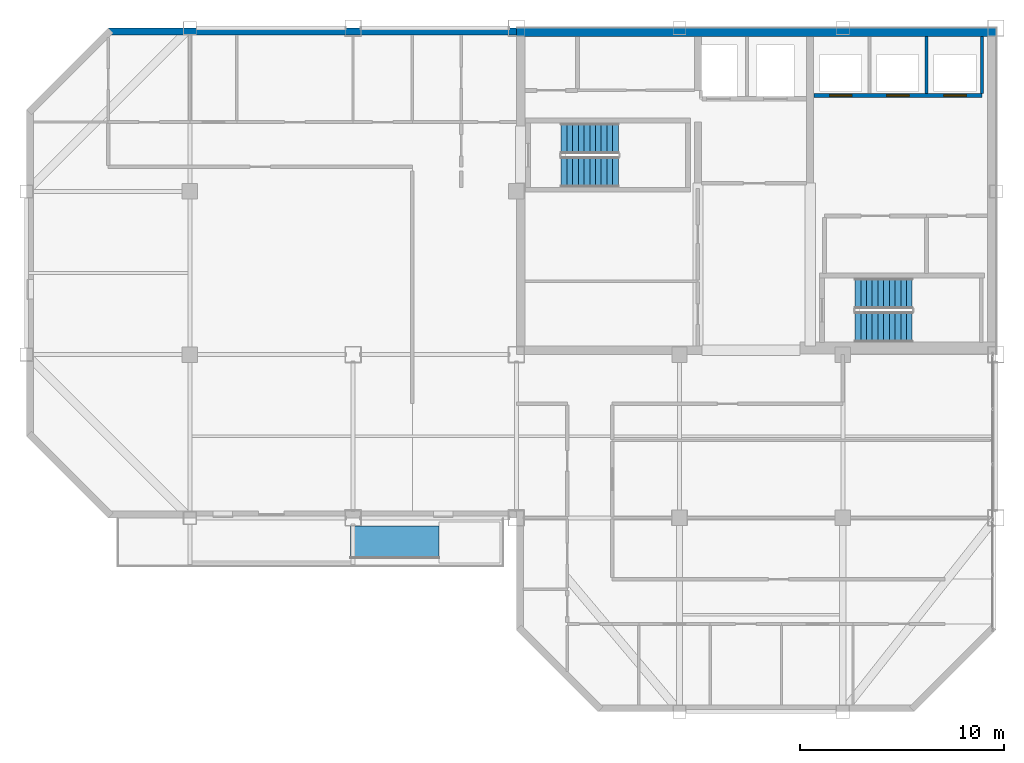
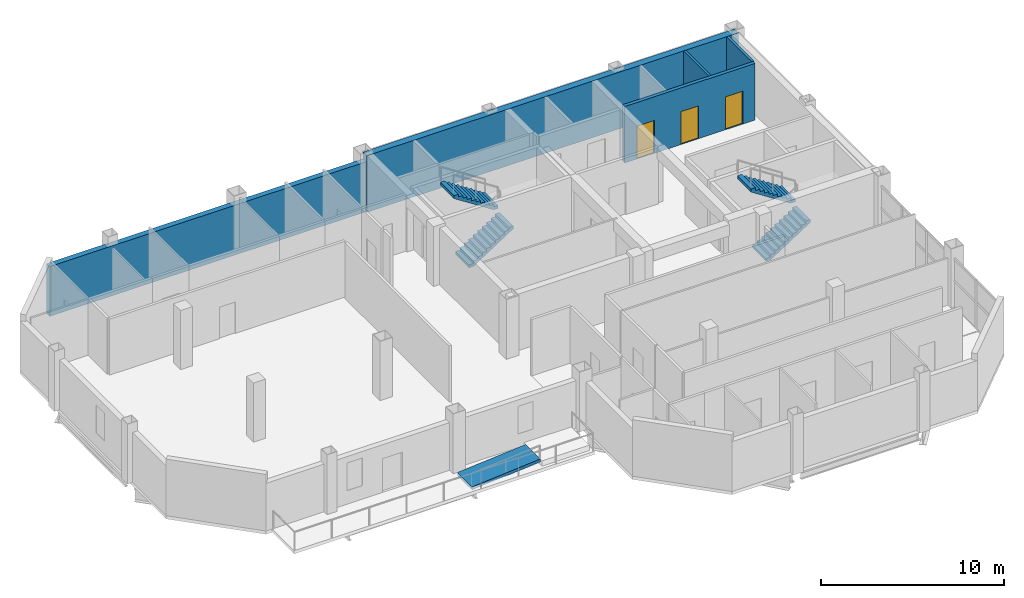
# One storey, part 10 of 13: 5 walls, 4 stair flights, 3 doors, 1 ramp flight, 3 openings, 3 elements without a shape of their own.
"""IFC4 building model written with IfcOpenShell, lengths in metres."""

from ifc_helpers import new_model, si_unit, direction, frame, frame_2d, origin, place, context, subcontext, project, spatial, polyline, rectangle, outline, extrude, material, layer, layer_set, type_object, element, fill, aggregate, save


model = new_model("IFC4")

# Units and contexts
model_context = context("Model", 3, precision=1e-05, world=origin(), true_north=direction((0.0, 1.0)))
body_context = subcontext(model_context, "Body", "Model", "MODEL_VIEW")
ifc_project = project(units=[si_unit("LENGTHUNIT", "METRE"), si_unit("AREAUNIT", "SQUARE_METRE"), si_unit("VOLUMEUNIT", "CUBIC_METRE"), si_unit("PLANEANGLEUNIT", "RADIAN"), si_unit("MASSUNIT", "GRAM", prefix="KILO")], contexts=[model_context])

# Site, building, storey
site_placement = place(None, origin())
site = spatial("IfcSite", under=ifc_project, at=site_placement, CompositionType="ELEMENT")
building_placement = place(site_placement, origin())
building = spatial("IfcBuilding", under=site, at=building_placement, Name="Qianrong Seaharbour Tower", CompositionType="ELEMENT")
storey_placement = place(building_placement, frame((0.0, 0.0, 295.199951171875)))
storey = spatial("IfcBuildingStorey", under=building, at=storey_placement, Name="L71", CompositionType="ELEMENT", Elevation=295.199951171875)

# Walls
ifc_material_1 = material(Name="Concrete C50/60", Category="concrete")
ifc_layer_1 = layer(ifc_material_1, 0.419921875)
ifc_layer_set_1 = layer_set([ifc_layer_1], Name="Concrete C50/60")
wall_type_1 = type_object("IfcWallType", Name="WALL-CORE-420", PredefinedType="SHEAR", material=ifc_layer_set_1)
wall_1_placement = place(storey_placement, frame((40.5, 51.7900390625, 0.0), z_axis=(0.0, 0.0, 1.0), x_axis=(1.0, 0.0, 0.0)))
element("IfcWall", 1, at=wall_1_placement, inside=storey, type_object=wall_type_1, Name="L71 North Core Shear Wall", PredefinedType="SHEAR", context=body_context, shape_type="SweptSolid", body=[
    extrude(rectangle(XDim=23.5, YDim=0.419921875, at=frame_2d((11.75, 0.0))), origin(), (0.0, 0.0, 1.0), 3.78515625),
])
ifc_material_2 = material(Name="Unitised buff brick on Precast concrete C45/55", Category="masonry")
ifc_layer_2 = layer(ifc_material_2, 0.340087890625)
ifc_layer_set_2 = layer_set([ifc_layer_2], Name="Unitised buff brick on Precast concrete C45/55")
wall_type_2 = type_object("IfcWallType", Name="WALL-EXT-BRICK-BUFF-340", PredefinedType="SOLIDWALL", material=ifc_layer_set_2)
wall_2_placement = place(storey_placement, frame((20.5, 51.830078125, 0.0), z_axis=(0.0, 0.0, 1.0), x_axis=(1.0, 0.0, 0.0)))
element("IfcWall", 2, at=wall_2_placement, inside=storey, type_object=wall_type_2, Name="L71 Exterior Masonry Facade Wall NORTH_WING", PredefinedType="SOLIDWALL", context=body_context, shape_type="SweptSolid", body=[
    extrude(rectangle(XDim=20.02001953125, YDim=0.340087890625, at=frame_2d((10.010009765625, 0.0))), origin(), (0.0, 0.0, 1.0), 3.3349609375),
])
ifc_material_3 = material(Name="Fire-rated gypsum board on steel studs", Category="steel")
ifc_layer_3 = layer(ifc_material_3, 0.14990234375)
ifc_layer_set_3 = layer_set([ifc_layer_3], Name="Fire-rated gypsum board on steel studs")
wall_type_3 = type_object("IfcWallType", Name="WALL-SHAFT-DIV-150", PredefinedType="PARTITIONING", material=ifc_layer_set_3)
for number, where, z_axis, x_axis, name in (
    (3, (60.60009765625, 48.81005859375, 0.0), (0.0, 0.0, 1.0), (0.0, 1.0, 0.0), "L71 P4 Lift Hoistway Divider 3"),
    (4, (63.320068359375, 48.81005859375, 0.0), (0.0, 0.0, 1.0), (0.0, 1.0, 0.0), "L71 P4 Lift Hoistway Divider 4"),
):
    element("IfcWall", number, at=place(storey_placement, frame(where, z_axis=z_axis, x_axis=x_axis)), inside=storey, type_object=wall_type_3, Name=name, PredefinedType="PARTITIONING", context=body_context, shape_type="SweptSolid", body=[
        extrude(rectangle(XDim=2.77001953125, YDim=0.14990234375, at=frame_2d((1.385009765625, 0.0))), origin(), (0.0, 0.0, 1.0), 3.78515625),
    ])

# Wall, openings, doors
ifc_layer_4 = layer(ifc_material_3, 0.219970703125)
ifc_layer_set_4 = layer_set([ifc_layer_4], Name="Fire-rated gypsum board on steel studs")
wall_type_4 = type_object("IfcWallType", Name="WALL-SHAFT-GYP220", PredefinedType="PARTITIONING", material=ifc_layer_set_4)
wall_3_placement = place(storey_placement, frame((63.320068359375, 48.699951171875, 0.0), z_axis=(0.0, 0.0, 1.0), x_axis=(-1.0, 0.0, 0.0)))
wall_3 = element("IfcWall", 5, at=wall_3_placement, inside=storey, type_object=wall_type_4, Name="L71 P4 Lift Hoistway Front Wall", PredefinedType="PARTITIONING", context=body_context, shape_type="SweptSolid", body=[
    extrude(rectangle(XDim=8.239990234375, YDim=0.219970703125, at=frame_2d((4.1201171875, 0.0))), origin(), (0.0, 0.0, 1.0), 3.78515625),
])
opening_1_placement = place(wall_3_placement, frame((6.3701171875, 0.0, 0.0)))
opening_1 = element("IfcOpeningElement", 6, at=opening_1_placement, cuts=wall_3, Name="Opening LD-02", PredefinedType="OPENING", context=body_context, shape_type="SweptSolid", body=[
    extrude(rectangle(XDim=1.10009765625, YDim=2.199951171875, at=frame_2d((0.550048828125, 1.10009765625))), frame((0.0, 0.1201171875, 0.0), z_axis=(0.0, -1.0, 0.0), x_axis=(1.0, 0.0, 0.0)), (0.0, 0.0, 1.0), 0.239990234375),
])
opening_2_placement = place(wall_3_placement, frame((3.570068359375, 0.0, 0.0)))
opening_2 = element("IfcOpeningElement", 7, at=opening_2_placement, cuts=wall_3, Name="Opening LD-02", PredefinedType="OPENING", context=body_context, shape_type="SweptSolid", body=[
    extrude(rectangle(XDim=1.10009765625, YDim=2.199951171875, at=frame_2d((0.550048828125, 1.10009765625))), frame((0.0, 0.1201171875, 0.0), z_axis=(0.0, -1.0, 0.0), x_axis=(1.0, 0.0, 0.0)), (0.0, 0.0, 1.0), 0.239990234375),
])
opening_3_placement = place(wall_3_placement, frame((0.77001953125, 0.0, 0.0)))
opening_3 = element("IfcOpeningElement", 8, at=opening_3_placement, cuts=wall_3, Name="Opening LD-02", PredefinedType="OPENING", context=body_context, shape_type="SweptSolid", body=[
    extrude(rectangle(XDim=1.10009765625, YDim=2.199951171875, at=frame_2d((0.550048828125, 1.10009765625))), frame((0.0, 0.1201171875, 0.0), z_axis=(0.0, -1.0, 0.0), x_axis=(1.0, 0.0, 0.0)), (0.0, 0.0, 1.0), 0.239990234375),
])
ifc_material_4 = material(Name="Stainless steel SUS316L bi-parting lift landing door", Category="steel")
door_type = type_object("IfcDoorType", Name="DOOR-LIFT-PASS-1100x2200", OperationType="DOUBLE_DOOR_SLIDING", PredefinedType="DOOR", material=ifc_material_4)
door_1_placement = place(opening_1_placement, origin())
door_1 = element("IfcDoor", 9, at=door_1_placement, inside=storey, type_object=door_type, Name="L71 PL-4A Lift Landing Door", OperationType="DOUBLE_DOOR_SLIDING", OverallHeight=2.199951171875, OverallWidth=1.10009765625, PredefinedType="DOOR", context=body_context, shape_type="SweptSolid", body=[
    extrude(rectangle(XDim=1.10009765625, YDim=2.199951171875, at=frame_2d((0.550048828125, 1.10009765625))), frame((0.0, 0.02490234375, 0.0), z_axis=(0.0, -1.0, 0.0), x_axis=(1.0, 0.0, 0.0)), (0.0, 0.0, 1.0), 0.050048828125),
])
fill(opening_1, door_1)
door_2_placement = place(opening_2_placement, origin())
door_2 = element("IfcDoor", 10, at=door_2_placement, inside=storey, type_object=door_type, Name="L71 PL-4B Lift Landing Door", OperationType="DOUBLE_DOOR_SLIDING", OverallHeight=2.199951171875, OverallWidth=1.10009765625, PredefinedType="DOOR", context=body_context, shape_type="SweptSolid", body=[
    extrude(rectangle(XDim=1.10009765625, YDim=2.199951171875, at=frame_2d((0.550048828125, 1.10009765625))), frame((0.0, 0.02490234375, 0.0), z_axis=(0.0, -1.0, 0.0), x_axis=(1.0, 0.0, 0.0)), (0.0, 0.0, 1.0), 0.050048828125),
])
fill(opening_2, door_2)
door_3_placement = place(opening_3_placement, origin())
door_3 = element("IfcDoor", 11, at=door_3_placement, inside=storey, type_object=door_type, Name="L71 PL-4C Lift Landing Door", OperationType="DOUBLE_DOOR_SLIDING", OverallHeight=2.199951171875, OverallWidth=1.10009765625, PredefinedType="DOOR", context=body_context, shape_type="SweptSolid", body=[
    extrude(rectangle(XDim=1.10009765625, YDim=2.199951171875, at=frame_2d((0.550048828125, 1.10009765625))), frame((0.0, 0.02490234375, 0.0), z_axis=(0.0, -1.0, 0.0), x_axis=(1.0, 0.0, 0.0)), (0.0, 0.0, 1.0), 0.050048828125),
])
fill(opening_3, door_3)

# Stair, stair flights
stair_type = type_object("IfcStairType", Name="STAIR-DOGLEG-1500-R22", PredefinedType="HALF_TURN_STAIR", material=ifc_material_1)
stair_1_placement = place(storey_placement, origin())
stair_1 = element("IfcStair", 12, at=stair_1_placement, inside=storey, type_object=stair_type, Name="L71 Protected Escape Stair ST-1", PredefinedType="HALF_TURN_STAIR")
stair_flight_type = type_object("IfcStairFlightType", Name="FLIGHT-STR-1500-R22", PredefinedType="STRAIGHT", material=ifc_material_1)
stair_flight_1_placement = place(storey_placement, frame((42.699951171875, 44.949951171875, 0.0), z_axis=(0.0, 0.0, 1.0), x_axis=(1.0, 0.0, 0.0)))
stair_flight_1 = element("IfcStairFlight", 13, at=stair_flight_1_placement, type_object=stair_flight_type, Name="ST-1 flight 1", NumberOfRisers=11, NumberOfTreads=10, PredefinedType="STRAIGHT", RiserHeight=0.181818182, TreadLength=0.28, context=body_context, shape_type="SweptSolid", body=[
    extrude(outline(polyline([(0.0, 0.0), (0.0, 0.181884765625), (0.280029296875, 0.181884765625), (0.280029296875, 0.363525390625), (0.56005859375, 0.363525390625), (0.56005859375, 0.54541015625), (0.840087890625, 0.54541015625), (0.840087890625, 0.727294921875), (1.1201171875, 0.727294921875), (1.1201171875, 0.9091796875), (1.39990234375, 0.9091796875), (1.39990234375, 1.0908203125), (1.679931640625, 1.0908203125), (1.679931640625, 1.272705078125), (1.9599609375, 1.272705078125), (1.9599609375, 1.45458984375), (2.239990234375, 1.45458984375), (2.239990234375, 1.636474609375), (2.52001953125, 1.636474609375), (2.52001953125, 1.818115234375), (2.800048828125, 1.818115234375), (2.800048828125, 2.0), (2.800048828125, 1.62744140625), (0.293701171875, 0.0), (0.0, 0.0)])), frame((0.0, 0.75, 0.0), z_axis=(0.0, -1.0, 0.0), x_axis=(1.0, 0.0, 0.0)), (0.0, 0.0, 1.0), 1.5),
])
stair_flight_2_placement = place(storey_placement, frame((45.5, 46.60009765625, 2.0), z_axis=(0.0, 0.0, 1.0), x_axis=(-1.0, 0.0, 0.0)))
stair_flight_2 = element("IfcStairFlight", 14, at=stair_flight_2_placement, type_object=stair_flight_type, Name="ST-1 flight 2", NumberOfRisers=11, NumberOfTreads=10, PredefinedType="STRAIGHT", RiserHeight=0.181818182, TreadLength=0.28, context=body_context, shape_type="SweptSolid", body=[
    extrude(outline(polyline([(0.0, 0.0), (0.0, 0.181884765625), (0.280029296875, 0.181884765625), (0.280029296875, 0.363525390625), (0.56005859375, 0.363525390625), (0.56005859375, 0.54541015625), (0.840087890625, 0.54541015625), (0.840087890625, 0.727294921875), (1.1201171875, 0.727294921875), (1.1201171875, 0.9091796875), (1.39990234375, 0.9091796875), (1.39990234375, 1.0908203125), (1.679931640625, 1.0908203125), (1.679931640625, 1.272705078125), (1.9599609375, 1.272705078125), (1.9599609375, 1.45458984375), (2.239990234375, 1.45458984375), (2.239990234375, 1.636474609375), (2.52001953125, 1.636474609375), (2.52001953125, 1.818115234375), (2.800048828125, 1.818115234375), (2.800048828125, 2.0), (2.800048828125, 1.62744140625), (0.293701171875, 0.0), (0.0, 0.0)])), frame((0.0, 0.75, 0.0), z_axis=(0.0, -1.0, 0.0), x_axis=(1.0, 0.0, 0.0)), (0.0, 0.0, 1.0), 1.5),
])
aggregate(stair_1, [stair_flight_1, stair_flight_2])

stair_2_placement = place(storey_placement, origin())
stair_2 = element("IfcStair", 15, at=stair_2_placement, inside=storey, type_object=stair_type, Name="L71 Protected Escape Stair ST-2", PredefinedType="HALF_TURN_STAIR")
stair_flight_3_placement = place(storey_placement, frame((57.10009765625, 37.35009765625, 0.0), z_axis=(0.0, 0.0, 1.0), x_axis=(1.0, 0.0, 0.0)))
stair_flight_3 = element("IfcStairFlight", 16, at=stair_flight_3_placement, type_object=stair_flight_type, Name="ST-2 flight 1", NumberOfRisers=11, NumberOfTreads=10, PredefinedType="STRAIGHT", RiserHeight=0.181818182, TreadLength=0.28, context=body_context, shape_type="SweptSolid", body=[
    extrude(outline(polyline([(0.0, 0.0), (0.0, 0.181884765625), (0.280029296875, 0.181884765625), (0.280029296875, 0.363525390625), (0.56005859375, 0.363525390625), (0.56005859375, 0.54541015625), (0.840087890625, 0.54541015625), (0.840087890625, 0.727294921875), (1.1201171875, 0.727294921875), (1.1201171875, 0.9091796875), (1.39990234375, 0.9091796875), (1.39990234375, 1.0908203125), (1.679931640625, 1.0908203125), (1.679931640625, 1.272705078125), (1.9599609375, 1.272705078125), (1.9599609375, 1.45458984375), (2.239990234375, 1.45458984375), (2.239990234375, 1.636474609375), (2.52001953125, 1.636474609375), (2.52001953125, 1.818115234375), (2.800048828125, 1.818115234375), (2.800048828125, 2.0), (2.800048828125, 1.62744140625), (0.293701171875, 0.0), (0.0, 0.0)])), frame((0.0, 0.75, 0.0), z_axis=(0.0, -1.0, 0.0), x_axis=(1.0, 0.0, 0.0)), (0.0, 0.0, 1.0), 1.5),
])
stair_flight_4_placement = place(storey_placement, frame((59.89990234375, 39.0, 2.0), z_axis=(0.0, 0.0, 1.0), x_axis=(-1.0, 0.0, 0.0)))
stair_flight_4 = element("IfcStairFlight", 17, at=stair_flight_4_placement, type_object=stair_flight_type, Name="ST-2 flight 2", NumberOfRisers=11, NumberOfTreads=10, PredefinedType="STRAIGHT", RiserHeight=0.181818182, TreadLength=0.28, context=body_context, shape_type="SweptSolid", body=[
    extrude(outline(polyline([(0.0, 0.0), (0.0, 0.181884765625), (0.280029296875, 0.181884765625), (0.280029296875, 0.363525390625), (0.56005859375, 0.363525390625), (0.56005859375, 0.54541015625), (0.840087890625, 0.54541015625), (0.840087890625, 0.727294921875), (1.1201171875, 0.727294921875), (1.1201171875, 0.9091796875), (1.39990234375, 0.9091796875), (1.39990234375, 1.0908203125), (1.679931640625, 1.0908203125), (1.679931640625, 1.272705078125), (1.9599609375, 1.272705078125), (1.9599609375, 1.45458984375), (2.239990234375, 1.45458984375), (2.239990234375, 1.636474609375), (2.52001953125, 1.636474609375), (2.52001953125, 1.818115234375), (2.800048828125, 1.818115234375), (2.800048828125, 2.0), (2.800048828125, 1.62744140625), (0.293701171875, 0.0), (0.0, 0.0)])), frame((0.0, 0.75, 0.0), z_axis=(0.0, -1.0, 0.0), x_axis=(1.0, 0.0, 0.0)), (0.0, 0.0, 1.0), 1.5),
])
aggregate(stair_2, [stair_flight_3, stair_flight_4])

# Ramp, ramp flight
ifc_material_5 = material(Name="White architectural precast concrete C45/55", Category="concrete")
ramp_type = type_object("IfcRampType", Name="RAMP-RIBBON-GARDEN", PredefinedType="STRAIGHT_RUN_RAMP", material=ifc_material_5)
ramp_placement = place(storey_placement, origin())
ramp = element("IfcRamp", 18, at=ramp_placement, inside=storey, type_object=ramp_type, Name="L71 Harbourfront Garden Ribbon Ramp", PredefinedType="STRAIGHT_RUN_RAMP")
ifc_layer_5 = layer(ifc_material_5, 0.199951171875)
ifc_layer_set_5 = layer_set([ifc_layer_5], Name="White architectural precast concrete C45/55")
ramp_flight_type = type_object("IfcRampFlightType", Name="RAMP-FLIGHT-GARDEN-200", PredefinedType="STRAIGHT", material=ifc_layer_set_5)
ramp_flight_placement = place(storey_placement, frame((32.3798828125, 26.800048828125, 0.0), z_axis=(0.0, 0.0, 1.0), x_axis=(1.0, 0.0, 0.0)))
ramp_flight = element("IfcRampFlight", 19, at=ramp_flight_placement, type_object=ramp_flight_type, Name="L71 Harbourfront Garden Ribbon Ramp Flight", PredefinedType="STRAIGHT", context=body_context, shape_type="SweptSolid", body=[
    extrude(outline(polyline([(0.0, 0.0), (4.320068359375, 0.360107421875), (4.320068359375, 0.16015625), (0.0, -0.199951171875), (0.0, 0.0)])), frame((0.0, 0.800048828125, 0.0), z_axis=(0.0, -1.0, 0.0), x_axis=(1.0, 0.0, 0.0)), (0.0, 0.0, 1.0), 1.60009765625),
])
aggregate(ramp, [ramp_flight])

save(model, "model.ifc")
